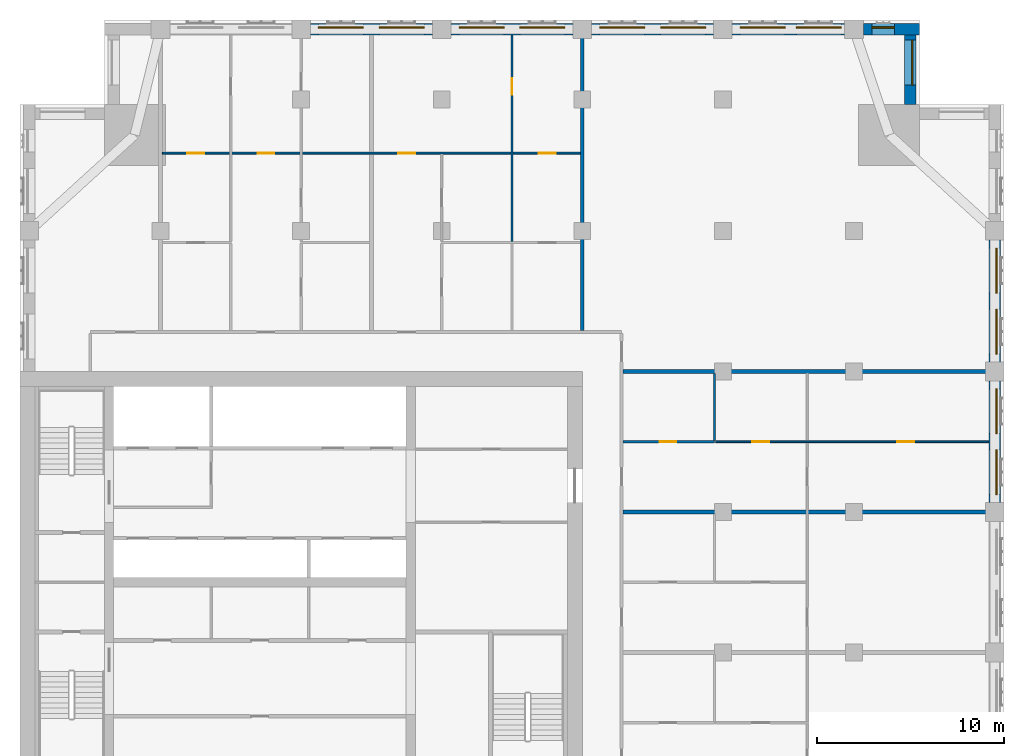
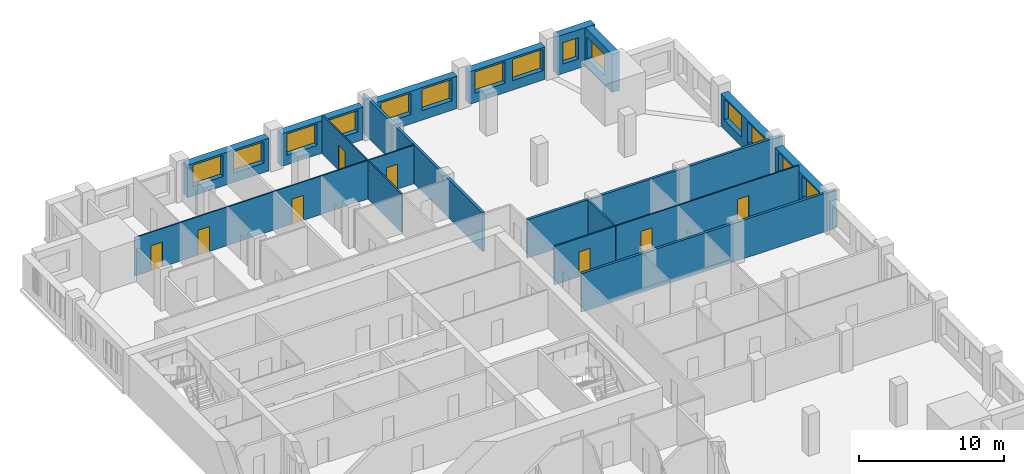
# One storey, part 11 of 14: 16 walls, 14 windows, 8 doors, 22 openings.
"""IFC4 building model written with IfcOpenShell, lengths in metres."""

from ifc_helpers import new_model, si_unit, direction, frame, frame_2d, origin, place, context, subcontext, project, spatial, rectangle, extrude, material, layer, layer_set, type_object, element, fill, save


model = new_model("IFC4")

# Units and contexts
model_context = context("Model", 3, precision=1e-05, world=origin(), true_north=direction((0.0, 1.0)))
body_context = subcontext(model_context, "Body", "Model", "MODEL_VIEW")
ifc_project = project(units=[si_unit("LENGTHUNIT", "METRE"), si_unit("AREAUNIT", "SQUARE_METRE"), si_unit("VOLUMEUNIT", "CUBIC_METRE"), si_unit("PLANEANGLEUNIT", "RADIAN"), si_unit("MASSUNIT", "GRAM", prefix="KILO")], contexts=[model_context])

# Site, building, storey
site_placement = place(None, origin())
site = spatial("IfcSite", under=ifc_project, at=site_placement, CompositionType="ELEMENT")
building_placement = place(site_placement, origin())
building = spatial("IfcBuilding", under=site, at=building_placement, Name="Tamorin Gate", CompositionType="ELEMENT")
storey_placement = place(building_placement, frame((0.0, 0.0, 182.699951171875)))
storey = spatial("IfcBuildingStorey", under=building, at=storey_placement, Name="L44", CompositionType="ELEMENT", Elevation=182.699951171875)

# Wall, openings, windows
ifc_material_1 = material(Name="Precast concrete C40/50", Category="concrete")
ifc_layer_1 = layer(ifc_material_1, 0.60009765625)
ifc_layer_set_1 = layer_set([ifc_layer_1], Name="Precast concrete C40/50")
wall_type_1 = type_object("IfcWallType", Name="Board-marked concrete facade panel 600", PredefinedType="SOLIDWALL", material=ifc_layer_set_1)
wall_1_placement = place(storey_placement, frame((82.0, 75.5, 0.0), z_axis=(0.0, 0.0, 1.0), x_axis=(0.0, 1.0, 0.0)))
wall_1 = element("IfcWall", 1, at=wall_1_placement, inside=storey, type_object=wall_type_1, Name="Facade panel", PredefinedType="SOLIDWALL", context=body_context, shape_type="SweptSolid", body=[
    extrude(rectangle(XDim=6.5, YDim=0.60009765625, at=frame_2d((3.25, 0.0))), origin(), (0.0, 0.0, 1.0), 2.75),
])
opening_1_placement = place(wall_1_placement, frame((0.425048828125, 0.0, 0.800048828125)))
opening_1 = element("IfcOpeningElement", 2, at=opening_1_placement, cuts=wall_1, Name="Opening WN1", PredefinedType="OPENING", context=body_context, shape_type="SweptSolid", body=[
    extrude(rectangle(XDim=2.39990234375, YDim=1.800048828125, at=frame_2d((1.199951171875, 0.89990234375))), frame((0.0, 0.31005859375, 0.0), z_axis=(0.0, -1.0, 0.0), x_axis=(1.0, 0.0, 0.0)), (0.0, 0.0, 1.0), 0.6201171875),
])
opening_2_placement = place(wall_1_placement, frame((3.675048828125, 0.0, 0.800048828125)))
opening_2 = element("IfcOpeningElement", 3, at=opening_2_placement, cuts=wall_1, Name="Opening WN1", PredefinedType="OPENING", context=body_context, shape_type="SweptSolid", body=[
    extrude(rectangle(XDim=2.39990234375, YDim=1.800048828125, at=frame_2d((1.199951171875, 0.89990234375))), frame((0.0, 0.31005859375, 0.0), z_axis=(0.0, -1.0, 0.0), x_axis=(1.0, 0.0, 0.0)), (0.0, 0.0, 1.0), 0.6201171875),
])
ifc_material_2 = material(Name="Clear glass in aluminium frame", Category="aluminium")
window_type_1 = type_object("IfcWindowType", Name="Deep-set window 2400x1800", PartitioningType="SINGLE_PANEL", PredefinedType="WINDOW", material=ifc_material_2)
window_1_placement = place(opening_1_placement, origin())
window_1 = element("IfcWindow", 4, at=window_1_placement, inside=storey, type_object=window_type_1, Name="Deep-set window", OverallHeight=1.800048828125, OverallWidth=2.39990234375, PartitioningType="SINGLE_PANEL", PredefinedType="WINDOW", context=body_context, shape_type="SweptSolid", body=[
    extrude(rectangle(XDim=2.39990234375, YDim=1.800048828125, at=frame_2d((1.199951171875, 0.89990234375))), frame((0.0, -0.070068359375, 0.0), z_axis=(0.0, -1.0, 0.0), x_axis=(1.0, 0.0, 0.0)), (0.0, 0.0, 1.0), 0.06005859375),
])
fill(opening_1, window_1)
window_2_placement = place(opening_2_placement, origin())
window_2 = element("IfcWindow", 5, at=window_2_placement, inside=storey, type_object=window_type_1, Name="Deep-set window", OverallHeight=1.800048828125, OverallWidth=2.39990234375, PartitioningType="SINGLE_PANEL", PredefinedType="WINDOW", context=body_context, shape_type="SweptSolid", body=[
    extrude(rectangle(XDim=2.39990234375, YDim=1.800048828125, at=frame_2d((1.199951171875, 0.89990234375))), frame((0.0, -0.070068359375, 0.0), z_axis=(0.0, -1.0, 0.0), x_axis=(1.0, 0.0, 0.0)), (0.0, 0.0, 1.0), 0.06005859375),
])
fill(opening_2, window_2)

wall_2_placement = place(storey_placement, frame((82.0, 83.0, 0.0), z_axis=(0.0, 0.0, 1.0), x_axis=(0.0, 1.0, 0.0)))
wall_2 = element("IfcWall", 6, at=wall_2_placement, inside=storey, type_object=wall_type_1, Name="Facade panel", PredefinedType="SOLIDWALL", context=body_context, shape_type="SweptSolid", body=[
    extrude(rectangle(XDim=6.5, YDim=0.60009765625, at=frame_2d((3.25, 0.0))), origin(), (0.0, 0.0, 1.0), 2.75),
])
opening_3_placement = place(wall_2_placement, frame((0.425048828125, 0.0, 0.800048828125)))
opening_3 = element("IfcOpeningElement", 7, at=opening_3_placement, cuts=wall_2, Name="Opening WN1", PredefinedType="OPENING", context=body_context, shape_type="SweptSolid", body=[
    extrude(rectangle(XDim=2.39990234375, YDim=1.800048828125, at=frame_2d((1.199951171875, 0.89990234375))), frame((0.0, 0.31005859375, 0.0), z_axis=(0.0, -1.0, 0.0), x_axis=(1.0, 0.0, 0.0)), (0.0, 0.0, 1.0), 0.6201171875),
])
opening_4_placement = place(wall_2_placement, frame((3.675048828125, 0.0, 0.800048828125)))
opening_4 = element("IfcOpeningElement", 8, at=opening_4_placement, cuts=wall_2, Name="Opening WN1", PredefinedType="OPENING", context=body_context, shape_type="SweptSolid", body=[
    extrude(rectangle(XDim=2.39990234375, YDim=1.800048828125, at=frame_2d((1.199951171875, 0.89990234375))), frame((0.0, 0.31005859375, 0.0), z_axis=(0.0, -1.0, 0.0), x_axis=(1.0, 0.0, 0.0)), (0.0, 0.0, 1.0), 0.6201171875),
])
window_3_placement = place(opening_3_placement, origin())
window_3 = element("IfcWindow", 9, at=window_3_placement, inside=storey, type_object=window_type_1, Name="Deep-set window", OverallHeight=1.800048828125, OverallWidth=2.39990234375, PartitioningType="SINGLE_PANEL", PredefinedType="WINDOW", context=body_context, shape_type="SweptSolid", body=[
    extrude(rectangle(XDim=2.39990234375, YDim=1.800048828125, at=frame_2d((1.199951171875, 0.89990234375))), frame((0.0, -0.070068359375, 0.0), z_axis=(0.0, -1.0, 0.0), x_axis=(1.0, 0.0, 0.0)), (0.0, 0.0, 1.0), 0.06005859375),
])
fill(opening_3, window_3)
window_4_placement = place(opening_4_placement, origin())
window_4 = element("IfcWindow", 10, at=window_4_placement, inside=storey, type_object=window_type_1, Name="Deep-set window", OverallHeight=1.800048828125, OverallWidth=2.39990234375, PartitioningType="SINGLE_PANEL", PredefinedType="WINDOW", context=body_context, shape_type="SweptSolid", body=[
    extrude(rectangle(XDim=2.39990234375, YDim=1.800048828125, at=frame_2d((1.199951171875, 0.89990234375))), frame((0.0, -0.070068359375, 0.0), z_axis=(0.0, -1.0, 0.0), x_axis=(1.0, 0.0, 0.0)), (0.0, 0.0, 1.0), 0.06005859375),
])
fill(opening_4, window_4)

# Wall, opening, window
wall_3_placement = place(storey_placement, frame((77.5, 96.75, 0.0), z_axis=(0.0, 0.0, 1.0), x_axis=(0.0, 1.0, 0.0)))
wall_3 = element("IfcWall", 11, at=wall_3_placement, inside=storey, type_object=wall_type_1, Name="Facade panel", PredefinedType="SOLIDWALL", context=body_context, shape_type="SweptSolid", body=[
    extrude(rectangle(XDim=3.699951171875, YDim=0.60009765625, at=frame_2d((1.85009765625, 0.0))), origin(), (0.0, 0.0, 1.0), 3.25),
])
opening_5_placement = place(wall_3_placement, frame((1.02490234375, 0.0, 0.800048828125)))
opening_5 = element("IfcOpeningElement", 12, at=opening_5_placement, cuts=wall_3, Name="Opening WN1", PredefinedType="OPENING", context=body_context, shape_type="SweptSolid", body=[
    extrude(rectangle(XDim=2.39990234375, YDim=1.800048828125, at=frame_2d((1.199951171875, 0.89990234375))), frame((0.0, 0.31005859375, 0.0), z_axis=(0.0, -1.0, 0.0), x_axis=(1.0, 0.0, 0.0)), (0.0, 0.0, 1.0), 0.6201171875),
])
window_5_placement = place(opening_5_placement, origin())
window_5 = element("IfcWindow", 13, at=window_5_placement, inside=storey, type_object=window_type_1, Name="Deep-set window", OverallHeight=1.800048828125, OverallWidth=2.39990234375, PartitioningType="SINGLE_PANEL", PredefinedType="WINDOW", context=body_context, shape_type="SweptSolid", body=[
    extrude(rectangle(XDim=2.39990234375, YDim=1.800048828125, at=frame_2d((1.199951171875, 0.89990234375))), frame((0.0, -0.070068359375, 0.0), z_axis=(0.0, -1.0, 0.0), x_axis=(1.0, 0.0, 0.0)), (0.0, 0.0, 1.0), 0.06005859375),
])
fill(opening_5, window_5)

wall_4_placement = place(storey_placement, frame((78.0, 100.75, 0.0), z_axis=(0.0, 0.0, 1.0), x_axis=(-1.0, 0.0, 0.0)))
wall_4 = element("IfcWall", 14, at=wall_4_placement, inside=storey, type_object=wall_type_1, Name="Facade panel", PredefinedType="SOLIDWALL", context=body_context, shape_type="SweptSolid", body=[
    extrude(rectangle(XDim=3.0, YDim=0.60009765625, at=frame_2d((1.5, 0.0))), origin(), (0.0, 0.0, 1.0), 3.25),
])
opening_6_placement = place(wall_4_placement, frame((1.35009765625, 0.0, 0.800048828125)))
opening_6 = element("IfcOpeningElement", 15, at=opening_6_placement, cuts=wall_4, Name="Opening WN3", PredefinedType="OPENING", context=body_context, shape_type="SweptSolid", body=[
    extrude(rectangle(XDim=1.199951171875, YDim=1.800048828125, at=frame_2d((0.60009765625, 0.89990234375))), frame((0.0, 0.31005859375, 0.0), z_axis=(0.0, -1.0, 0.0), x_axis=(1.0, 0.0, 0.0)), (0.0, 0.0, 1.0), 0.6201171875),
])
window_type_2 = type_object("IfcWindowType", Name="Deep-set window 1200x1800", PartitioningType="SINGLE_PANEL", PredefinedType="WINDOW", material=ifc_material_2)
window_6_placement = place(opening_6_placement, origin())
window_6 = element("IfcWindow", 16, at=window_6_placement, inside=storey, type_object=window_type_2, Name="Deep-set window", OverallHeight=1.800048828125, OverallWidth=1.199951171875, PartitioningType="SINGLE_PANEL", PredefinedType="WINDOW", context=body_context, shape_type="SweptSolid", body=[
    extrude(rectangle(XDim=1.199951171875, YDim=1.800048828125, at=frame_2d((0.60009765625, 0.89990234375))), frame((0.0, -0.070068359375, 0.0), z_axis=(0.0, -1.0, 0.0), x_axis=(1.0, 0.0, 0.0)), (0.0, 0.0, 1.0), 0.06005859375),
])
fill(opening_6, window_6)

# Wall, openings, windows
wall_5_placement = place(storey_placement, frame((74.0, 100.75, 0.0), z_axis=(0.0, 0.0, 1.0), x_axis=(-1.0, 0.0, 0.0)))
wall_5 = element("IfcWall", 17, at=wall_5_placement, inside=storey, type_object=wall_type_1, Name="Facade panel", PredefinedType="SOLIDWALL", context=body_context, shape_type="SweptSolid", body=[
    extrude(rectangle(XDim=6.0, YDim=0.60009765625, at=frame_2d((3.0, 0.0))), origin(), (0.0, 0.0, 1.0), 2.75),
])
opening_7_placement = place(wall_5_placement, frame((3.175048828125, 0.0, 0.800048828125)))
opening_7 = element("IfcOpeningElement", 18, at=opening_7_placement, cuts=wall_5, Name="Opening WN1", PredefinedType="OPENING", context=body_context, shape_type="SweptSolid", body=[
    extrude(rectangle(XDim=2.39990234375, YDim=1.800048828125, at=frame_2d((1.199951171875, 0.89990234375))), frame((0.0, 0.31005859375, 0.0), z_axis=(0.0, -1.0, 0.0), x_axis=(1.0, 0.0, 0.0)), (0.0, 0.0, 1.0), 0.6201171875),
])
opening_8_placement = place(wall_5_placement, frame((0.175048828125, 0.0, 0.800048828125)))
opening_8 = element("IfcOpeningElement", 19, at=opening_8_placement, cuts=wall_5, Name="Opening WN1", PredefinedType="OPENING", context=body_context, shape_type="SweptSolid", body=[
    extrude(rectangle(XDim=2.39990234375, YDim=1.800048828125, at=frame_2d((1.199951171875, 0.89990234375))), frame((0.0, 0.31005859375, 0.0), z_axis=(0.0, -1.0, 0.0), x_axis=(1.0, 0.0, 0.0)), (0.0, 0.0, 1.0), 0.6201171875),
])
window_7_placement = place(opening_7_placement, origin())
window_7 = element("IfcWindow", 20, at=window_7_placement, inside=storey, type_object=window_type_1, Name="Deep-set window", OverallHeight=1.800048828125, OverallWidth=2.39990234375, PartitioningType="SINGLE_PANEL", PredefinedType="WINDOW", context=body_context, shape_type="SweptSolid", body=[
    extrude(rectangle(XDim=2.39990234375, YDim=1.800048828125, at=frame_2d((1.199951171875, 0.89990234375))), frame((0.0, -0.070068359375, 0.0), z_axis=(0.0, -1.0, 0.0), x_axis=(1.0, 0.0, 0.0)), (0.0, 0.0, 1.0), 0.06005859375),
])
fill(opening_7, window_7)
window_8_placement = place(opening_8_placement, origin())
window_8 = element("IfcWindow", 21, at=window_8_placement, inside=storey, type_object=window_type_1, Name="Deep-set window", OverallHeight=1.800048828125, OverallWidth=2.39990234375, PartitioningType="SINGLE_PANEL", PredefinedType="WINDOW", context=body_context, shape_type="SweptSolid", body=[
    extrude(rectangle(XDim=2.39990234375, YDim=1.800048828125, at=frame_2d((1.199951171875, 0.89990234375))), frame((0.0, -0.070068359375, 0.0), z_axis=(0.0, -1.0, 0.0), x_axis=(1.0, 0.0, 0.0)), (0.0, 0.0, 1.0), 0.06005859375),
])
fill(opening_8, window_8)

wall_6_placement = place(storey_placement, frame((67.0, 100.75, 0.0), z_axis=(0.0, 0.0, 1.0), x_axis=(-1.0, 0.0, 0.0)))
wall_6 = element("IfcWall", 22, at=wall_6_placement, inside=storey, type_object=wall_type_1, Name="Facade panel", PredefinedType="SOLIDWALL", context=body_context, shape_type="SweptSolid", body=[
    extrude(rectangle(XDim=6.5, YDim=0.60009765625, at=frame_2d((3.25, 0.0))), origin(), (0.0, 0.0, 1.0), 2.75),
])
opening_9_placement = place(wall_6_placement, frame((3.675048828125, 0.0, 0.800048828125)))
opening_9 = element("IfcOpeningElement", 23, at=opening_9_placement, cuts=wall_6, Name="Opening WN1", PredefinedType="OPENING", context=body_context, shape_type="SweptSolid", body=[
    extrude(rectangle(XDim=2.39990234375, YDim=1.800048828125, at=frame_2d((1.199951171875, 0.89990234375))), frame((0.0, 0.31005859375, 0.0), z_axis=(0.0, -1.0, 0.0), x_axis=(1.0, 0.0, 0.0)), (0.0, 0.0, 1.0), 0.6201171875),
])
opening_10_placement = place(wall_6_placement, frame((0.425048828125, 0.0, 0.800048828125)))
opening_10 = element("IfcOpeningElement", 24, at=opening_10_placement, cuts=wall_6, Name="Opening WN1", PredefinedType="OPENING", context=body_context, shape_type="SweptSolid", body=[
    extrude(rectangle(XDim=2.39990234375, YDim=1.800048828125, at=frame_2d((1.199951171875, 0.89990234375))), frame((0.0, 0.31005859375, 0.0), z_axis=(0.0, -1.0, 0.0), x_axis=(1.0, 0.0, 0.0)), (0.0, 0.0, 1.0), 0.6201171875),
])
window_9_placement = place(opening_9_placement, origin())
window_9 = element("IfcWindow", 25, at=window_9_placement, inside=storey, type_object=window_type_1, Name="Deep-set window", OverallHeight=1.800048828125, OverallWidth=2.39990234375, PartitioningType="SINGLE_PANEL", PredefinedType="WINDOW", context=body_context, shape_type="SweptSolid", body=[
    extrude(rectangle(XDim=2.39990234375, YDim=1.800048828125, at=frame_2d((1.199951171875, 0.89990234375))), frame((0.0, -0.070068359375, 0.0), z_axis=(0.0, -1.0, 0.0), x_axis=(1.0, 0.0, 0.0)), (0.0, 0.0, 1.0), 0.06005859375),
])
fill(opening_9, window_9)
window_10_placement = place(opening_10_placement, origin())
window_10 = element("IfcWindow", 26, at=window_10_placement, inside=storey, type_object=window_type_1, Name="Deep-set window", OverallHeight=1.800048828125, OverallWidth=2.39990234375, PartitioningType="SINGLE_PANEL", PredefinedType="WINDOW", context=body_context, shape_type="SweptSolid", body=[
    extrude(rectangle(XDim=2.39990234375, YDim=1.800048828125, at=frame_2d((1.199951171875, 0.89990234375))), frame((0.0, -0.070068359375, 0.0), z_axis=(0.0, -1.0, 0.0), x_axis=(1.0, 0.0, 0.0)), (0.0, 0.0, 1.0), 0.06005859375),
])
fill(opening_10, window_10)

wall_7_placement = place(storey_placement, frame((59.5, 100.75, 0.0), z_axis=(0.0, 0.0, 1.0), x_axis=(-1.0, 0.0, 0.0)))
wall_7 = element("IfcWall", 27, at=wall_7_placement, inside=storey, type_object=wall_type_1, Name="Facade panel", PredefinedType="SOLIDWALL", context=body_context, shape_type="SweptSolid", body=[
    extrude(rectangle(XDim=6.5, YDim=0.60009765625, at=frame_2d((3.25, 0.0))), origin(), (0.0, 0.0, 1.0), 2.75),
])
opening_11_placement = place(wall_7_placement, frame((3.675048828125, 0.0, 0.800048828125)))
opening_11 = element("IfcOpeningElement", 28, at=opening_11_placement, cuts=wall_7, Name="Opening WN1", PredefinedType="OPENING", context=body_context, shape_type="SweptSolid", body=[
    extrude(rectangle(XDim=2.39990234375, YDim=1.800048828125, at=frame_2d((1.199951171875, 0.89990234375))), frame((0.0, 0.31005859375, 0.0), z_axis=(0.0, -1.0, 0.0), x_axis=(1.0, 0.0, 0.0)), (0.0, 0.0, 1.0), 0.6201171875),
])
opening_12_placement = place(wall_7_placement, frame((0.425048828125, 0.0, 0.800048828125)))
opening_12 = element("IfcOpeningElement", 29, at=opening_12_placement, cuts=wall_7, Name="Opening WN1", PredefinedType="OPENING", context=body_context, shape_type="SweptSolid", body=[
    extrude(rectangle(XDim=2.39990234375, YDim=1.800048828125, at=frame_2d((1.199951171875, 0.89990234375))), frame((0.0, 0.31005859375, 0.0), z_axis=(0.0, -1.0, 0.0), x_axis=(1.0, 0.0, 0.0)), (0.0, 0.0, 1.0), 0.6201171875),
])
window_11_placement = place(opening_11_placement, origin())
window_11 = element("IfcWindow", 30, at=window_11_placement, inside=storey, type_object=window_type_1, Name="Deep-set window", OverallHeight=1.800048828125, OverallWidth=2.39990234375, PartitioningType="SINGLE_PANEL", PredefinedType="WINDOW", context=body_context, shape_type="SweptSolid", body=[
    extrude(rectangle(XDim=2.39990234375, YDim=1.800048828125, at=frame_2d((1.199951171875, 0.89990234375))), frame((0.0, -0.070068359375, 0.0), z_axis=(0.0, -1.0, 0.0), x_axis=(1.0, 0.0, 0.0)), (0.0, 0.0, 1.0), 0.06005859375),
])
fill(opening_11, window_11)
window_12_placement = place(opening_12_placement, origin())
window_12 = element("IfcWindow", 31, at=window_12_placement, inside=storey, type_object=window_type_1, Name="Deep-set window", OverallHeight=1.800048828125, OverallWidth=2.39990234375, PartitioningType="SINGLE_PANEL", PredefinedType="WINDOW", context=body_context, shape_type="SweptSolid", body=[
    extrude(rectangle(XDim=2.39990234375, YDim=1.800048828125, at=frame_2d((1.199951171875, 0.89990234375))), frame((0.0, -0.070068359375, 0.0), z_axis=(0.0, -1.0, 0.0), x_axis=(1.0, 0.0, 0.0)), (0.0, 0.0, 1.0), 0.06005859375),
])
fill(opening_12, window_12)

wall_8_placement = place(storey_placement, frame((52.0, 100.75, 0.0), z_axis=(0.0, 0.0, 1.0), x_axis=(-1.0, 0.0, 0.0)))
wall_8 = element("IfcWall", 32, at=wall_8_placement, inside=storey, type_object=wall_type_1, Name="Facade panel", PredefinedType="SOLIDWALL", context=body_context, shape_type="SweptSolid", body=[
    extrude(rectangle(XDim=6.5, YDim=0.60009765625, at=frame_2d((3.25, 0.0))), origin(), (0.0, 0.0, 1.0), 2.75),
])
opening_13_placement = place(wall_8_placement, frame((3.675048828125, 0.0, 0.800048828125)))
opening_13 = element("IfcOpeningElement", 33, at=opening_13_placement, cuts=wall_8, Name="Opening WN1", PredefinedType="OPENING", context=body_context, shape_type="SweptSolid", body=[
    extrude(rectangle(XDim=2.39990234375, YDim=1.800048828125, at=frame_2d((1.199951171875, 0.89990234375))), frame((0.0, 0.31005859375, 0.0), z_axis=(0.0, -1.0, 0.0), x_axis=(1.0, 0.0, 0.0)), (0.0, 0.0, 1.0), 0.6201171875),
])
opening_14_placement = place(wall_8_placement, frame((0.425048828125, 0.0, 0.800048828125)))
opening_14 = element("IfcOpeningElement", 34, at=opening_14_placement, cuts=wall_8, Name="Opening WN1", PredefinedType="OPENING", context=body_context, shape_type="SweptSolid", body=[
    extrude(rectangle(XDim=2.39990234375, YDim=1.800048828125, at=frame_2d((1.199951171875, 0.89990234375))), frame((0.0, 0.31005859375, 0.0), z_axis=(0.0, -1.0, 0.0), x_axis=(1.0, 0.0, 0.0)), (0.0, 0.0, 1.0), 0.6201171875),
])
window_13_placement = place(opening_13_placement, origin())
window_13 = element("IfcWindow", 35, at=window_13_placement, inside=storey, type_object=window_type_1, Name="Deep-set window", OverallHeight=1.800048828125, OverallWidth=2.39990234375, PartitioningType="SINGLE_PANEL", PredefinedType="WINDOW", context=body_context, shape_type="SweptSolid", body=[
    extrude(rectangle(XDim=2.39990234375, YDim=1.800048828125, at=frame_2d((1.199951171875, 0.89990234375))), frame((0.0, -0.070068359375, 0.0), z_axis=(0.0, -1.0, 0.0), x_axis=(1.0, 0.0, 0.0)), (0.0, 0.0, 1.0), 0.06005859375),
])
fill(opening_13, window_13)
window_14_placement = place(opening_14_placement, origin())
window_14 = element("IfcWindow", 36, at=window_14_placement, inside=storey, type_object=window_type_1, Name="Deep-set window", OverallHeight=1.800048828125, OverallWidth=2.39990234375, PartitioningType="SINGLE_PANEL", PredefinedType="WINDOW", context=body_context, shape_type="SweptSolid", body=[
    extrude(rectangle(XDim=2.39990234375, YDim=1.800048828125, at=frame_2d((1.199951171875, 0.89990234375))), frame((0.0, -0.070068359375, 0.0), z_axis=(0.0, -1.0, 0.0), x_axis=(1.0, 0.0, 0.0)), (0.0, 0.0, 1.0), 0.06005859375),
])
fill(opening_14, window_14)

# Walls
ifc_material_3 = material(Name="Gypsum board partition")
ifc_layer_2 = layer(ifc_material_3, 0.199951171875)
ifc_layer_set_2 = layer_set([ifc_layer_2], Name="Demising wall 200")
wall_type_2 = type_object("IfcWallType", Name="Demising wall 200", PredefinedType="PARTITIONING", material=ifc_layer_set_2)
for number, where, z_axis, x_axis, name in (
    (37, (62.175048828125, 75.0, 0.0), (0.0, 0.0, 1.0), (1.0, 0.0, 0.0), "Demising wall 200"),
    (38, (62.175048828125, 82.5, 0.0), (0.0, 0.0, 1.0), (1.0, 0.0, 0.0), "Demising wall 200"),
):
    element("IfcWall", number, at=place(storey_placement, frame(where, z_axis=z_axis, x_axis=x_axis)), inside=storey, type_object=wall_type_2, Name=name, PredefinedType="PARTITIONING", context=body_context, shape_type="SweptSolid", body=[
        extrude(rectangle(XDim=20.324951171875, YDim=0.199951171875, at=frame_2d((10.16259765625, 0.0))), origin(), (0.0, 0.0, 1.0), 3.25),
    ])
wall_9_placement = place(storey_placement, frame((60.0, 84.675048828125, 0.0), z_axis=(0.0, 0.0, 1.0), x_axis=(0.0, 1.0, 0.0)))
element("IfcWall", 39, at=wall_9_placement, inside=storey, type_object=wall_type_2, Name="Demising wall 200", PredefinedType="PARTITIONING", context=body_context, shape_type="SweptSolid", body=[
    extrude(rectangle(XDim=16.574951171875, YDim=0.199951171875, at=frame_2d((8.28759765625, 0.0))), origin(), (0.0, 0.0, 1.0), 3.25),
])

# Wall, openings, doors
ifc_layer_3 = layer(ifc_material_3, 0.10009765625)
ifc_layer_set_3 = layer_set([ifc_layer_3], Name="Room partition 100")
wall_type_3 = type_object("IfcWallType", Name="Room partition 100", PredefinedType="PARTITIONING", material=ifc_layer_set_3)
wall_10_placement = place(storey_placement, frame((67.112548828125, 78.75, 0.0), z_axis=(0.0, 0.0, 1.0), x_axis=(1.0, 0.0, 0.0)))
wall_10 = element("IfcWall", 40, at=wall_10_placement, inside=storey, type_object=wall_type_3, Name="Room partition 100", PredefinedType="PARTITIONING", context=body_context, shape_type="SweptSolid", body=[
    extrude(rectangle(XDim=14.577392578125, YDim=0.10009765625, at=frame_2d((7.28857421875, 0.0))), origin(), (0.0, 0.0, 1.0), 3.25),
])
opening_15_placement = place(wall_10_placement, frame((1.96240234375, 0.0, 0.0)))
opening_15 = element("IfcOpeningElement", 41, at=opening_15_placement, cuts=wall_10, Name="Opening DR2047", PredefinedType="OPENING", context=body_context, shape_type="SweptSolid", body=[
    extrude(rectangle(XDim=0.89990234375, YDim=2.10009765625, at=frame_2d((0.449951171875, 1.050048828125))), frame((0.0, 0.06005859375, 0.0), z_axis=(0.0, -1.0, 0.0), x_axis=(1.0, 0.0, 0.0)), (0.0, 0.0, 1.0), 0.1201171875),
])
opening_16_placement = place(wall_10_placement, frame((9.6875, 0.0, 0.0)))
opening_16 = element("IfcOpeningElement", 42, at=opening_16_placement, cuts=wall_10, Name="Opening DR2049", PredefinedType="OPENING", context=body_context, shape_type="SweptSolid", body=[
    extrude(rectangle(XDim=0.89990234375, YDim=2.10009765625, at=frame_2d((0.449951171875, 1.050048828125))), frame((0.0, 0.06005859375, 0.0), z_axis=(0.0, -1.0, 0.0), x_axis=(1.0, 0.0, 0.0)), (0.0, 0.0, 1.0), 0.1201171875),
])
ifc_material_4 = material(Name="Timber door leaf", Category="wood")
door_type = type_object("IfcDoorType", Name="Door 900 x 2100", OperationType="NOTDEFINED", PredefinedType="DOOR", material=ifc_material_4)
door_1_placement = place(opening_15_placement, origin())
door_1 = element("IfcDoor", 43, at=door_1_placement, inside=storey, type_object=door_type, Name="Door DR2047", OperationType="SINGLE_SWING_LEFT", OverallHeight=2.10009765625, OverallWidth=0.89990234375, PredefinedType="DOOR", context=body_context, shape_type="SweptSolid", body=[
    extrude(rectangle(XDim=0.89990234375, YDim=2.10009765625, at=frame_2d((0.449951171875, 1.050048828125))), frame((0.0, 0.02490234375, 0.0), z_axis=(0.0, -1.0, 0.0), x_axis=(1.0, 0.0, 0.0)), (0.0, 0.0, 1.0), 0.050048828125),
])
fill(opening_15, door_1)
door_2_placement = place(opening_16_placement, origin())
door_2 = element("IfcDoor", 44, at=door_2_placement, inside=storey, type_object=door_type, Name="Door DR2049", OperationType="SINGLE_SWING_RIGHT", OverallHeight=2.10009765625, OverallWidth=0.89990234375, PredefinedType="DOOR", context=body_context, shape_type="SweptSolid", body=[
    extrude(rectangle(XDim=0.89990234375, YDim=2.10009765625, at=frame_2d((0.449951171875, 1.050048828125))), frame((0.0, 0.02490234375, 0.0), z_axis=(0.0, -1.0, 0.0), x_axis=(1.0, 0.0, 0.0)), (0.0, 0.0, 1.0), 0.050048828125),
])
fill(opening_16, door_2)

wall_11_placement = place(storey_placement, frame((37.60009765625, 94.14990234375, 0.0), z_axis=(0.0, 0.0, 1.0), x_axis=(1.0, 0.0, 0.0)))
wall_11 = element("IfcWall", 45, at=wall_11_placement, inside=storey, type_object=wall_type_3, Name="Room partition 100", PredefinedType="PARTITIONING", context=body_context, shape_type="SweptSolid", body=[
    extrude(rectangle(XDim=22.2998046875, YDim=0.10009765625, at=frame_2d((11.14990234375, 0.0))), origin(), (0.0, 0.0, 1.0), 3.25),
])
opening_17_placement = place(wall_11_placement, frame((1.324951171875, 0.0, 0.0)))
opening_17 = element("IfcOpeningElement", 46, at=opening_17_placement, cuts=wall_11, Name="Opening DR2020", PredefinedType="OPENING", context=body_context, shape_type="SweptSolid", body=[
    extrude(rectangle(XDim=0.89990234375, YDim=2.10009765625, at=frame_2d((0.449951171875, 1.050048828125))), frame((0.0, 0.06005859375, 0.0), z_axis=(0.0, -1.0, 0.0), x_axis=(1.0, 0.0, 0.0)), (0.0, 0.0, 1.0), 0.1201171875),
])
opening_18_placement = place(wall_11_placement, frame((5.074951171875, 0.0, 0.0)))
opening_18 = element("IfcOpeningElement", 47, at=opening_18_placement, cuts=wall_11, Name="Opening DR2023", PredefinedType="OPENING", context=body_context, shape_type="SweptSolid", body=[
    extrude(rectangle(XDim=0.89990234375, YDim=2.10009765625, at=frame_2d((0.449951171875, 1.050048828125))), frame((0.0, 0.06005859375, 0.0), z_axis=(0.0, -1.0, 0.0), x_axis=(1.0, 0.0, 0.0)), (0.0, 0.0, 1.0), 0.1201171875),
])
opening_19_placement = place(wall_11_placement, frame((12.574951171875, 0.0, 0.0)))
opening_19 = element("IfcOpeningElement", 48, at=opening_19_placement, cuts=wall_11, Name="Opening DR2029", PredefinedType="OPENING", context=body_context, shape_type="SweptSolid", body=[
    extrude(rectangle(XDim=0.89990234375, YDim=2.10009765625, at=frame_2d((0.449951171875, 1.050048828125))), frame((0.0, 0.06005859375, 0.0), z_axis=(0.0, -1.0, 0.0), x_axis=(1.0, 0.0, 0.0)), (0.0, 0.0, 1.0), 0.1201171875),
])
opening_20_placement = place(wall_11_placement, frame((20.074951171875, 0.0, 0.0)))
opening_20 = element("IfcOpeningElement", 49, at=opening_20_placement, cuts=wall_11, Name="Opening DR2032", PredefinedType="OPENING", context=body_context, shape_type="SweptSolid", body=[
    extrude(rectangle(XDim=0.89990234375, YDim=2.10009765625, at=frame_2d((0.449951171875, 1.050048828125))), frame((0.0, 0.06005859375, 0.0), z_axis=(0.0, -1.0, 0.0), x_axis=(1.0, 0.0, 0.0)), (0.0, 0.0, 1.0), 0.1201171875),
])
door_3_placement = place(opening_17_placement, origin())
door_3 = element("IfcDoor", 50, at=door_3_placement, inside=storey, type_object=door_type, Name="Door DR2020", OperationType="SINGLE_SWING_RIGHT", OverallHeight=2.10009765625, OverallWidth=0.89990234375, PredefinedType="DOOR", context=body_context, shape_type="SweptSolid", body=[
    extrude(rectangle(XDim=0.89990234375, YDim=2.10009765625, at=frame_2d((0.449951171875, 1.050048828125))), frame((0.0, 0.02490234375, 0.0), z_axis=(0.0, -1.0, 0.0), x_axis=(1.0, 0.0, 0.0)), (0.0, 0.0, 1.0), 0.050048828125),
])
fill(opening_17, door_3)
door_4_placement = place(opening_18_placement, origin())
door_4 = element("IfcDoor", 51, at=door_4_placement, inside=storey, type_object=door_type, Name="Door DR2023", OperationType="SINGLE_SWING_RIGHT", OverallHeight=2.10009765625, OverallWidth=0.89990234375, PredefinedType="DOOR", context=body_context, shape_type="SweptSolid", body=[
    extrude(rectangle(XDim=0.89990234375, YDim=2.10009765625, at=frame_2d((0.449951171875, 1.050048828125))), frame((0.0, 0.02490234375, 0.0), z_axis=(0.0, -1.0, 0.0), x_axis=(1.0, 0.0, 0.0)), (0.0, 0.0, 1.0), 0.050048828125),
])
fill(opening_18, door_4)
door_5_placement = place(opening_19_placement, origin())
door_5 = element("IfcDoor", 52, at=door_5_placement, inside=storey, type_object=door_type, Name="Door DR2029", OperationType="SINGLE_SWING_RIGHT", OverallHeight=2.10009765625, OverallWidth=0.89990234375, PredefinedType="DOOR", context=body_context, shape_type="SweptSolid", body=[
    extrude(rectangle(XDim=0.89990234375, YDim=2.10009765625, at=frame_2d((0.449951171875, 1.050048828125))), frame((0.0, 0.02490234375, 0.0), z_axis=(0.0, -1.0, 0.0), x_axis=(1.0, 0.0, 0.0)), (0.0, 0.0, 1.0), 0.050048828125),
])
fill(opening_19, door_5)
door_6_placement = place(opening_20_placement, origin())
door_6 = element("IfcDoor", 53, at=door_6_placement, inside=storey, type_object=door_type, Name="Door DR2032", OperationType="SINGLE_SWING_RIGHT", OverallHeight=2.10009765625, OverallWidth=0.89990234375, PredefinedType="DOOR", context=body_context, shape_type="SweptSolid", body=[
    extrude(rectangle(XDim=0.89990234375, YDim=2.10009765625, at=frame_2d((0.449951171875, 1.050048828125))), frame((0.0, 0.02490234375, 0.0), z_axis=(0.0, -1.0, 0.0), x_axis=(1.0, 0.0, 0.0)), (0.0, 0.0, 1.0), 0.050048828125),
])
fill(opening_20, door_6)

# Wall, opening, door
wall_12_placement = place(storey_placement, frame((56.25, 89.4375, 0.0), z_axis=(0.0, 0.0, 1.0), x_axis=(0.0, 1.0, 0.0)))
wall_12 = element("IfcWall", 54, at=wall_12_placement, inside=storey, type_object=wall_type_3, Name="Room partition 100", PredefinedType="PARTITIONING", context=body_context, shape_type="SweptSolid", body=[
    extrude(rectangle(XDim=11.00244140625, YDim=0.10009765625, at=frame_2d((5.501220703125, 0.0))), origin(), (0.0, 0.0, 1.0), 3.25),
])
opening_21_placement = place(wall_12_placement, frame((7.8125, 0.0, 0.0)))
opening_21 = element("IfcOpeningElement", 55, at=opening_21_placement, cuts=wall_12, Name="Opening DR2034", PredefinedType="OPENING", context=body_context, shape_type="SweptSolid", body=[
    extrude(rectangle(XDim=0.89990234375, YDim=2.10009765625, at=frame_2d((0.449951171875, 1.050048828125))), frame((0.0, 0.06005859375, 0.0), z_axis=(0.0, -1.0, 0.0), x_axis=(1.0, 0.0, 0.0)), (0.0, 0.0, 1.0), 0.1201171875),
])
door_7_placement = place(opening_21_placement, origin())
door_7 = element("IfcDoor", 56, at=door_7_placement, inside=storey, type_object=door_type, Name="Door DR2034", OperationType="SINGLE_SWING_RIGHT", OverallHeight=2.10009765625, OverallWidth=0.89990234375, PredefinedType="DOOR", context=body_context, shape_type="SweptSolid", body=[
    extrude(rectangle(XDim=0.89990234375, YDim=2.10009765625, at=frame_2d((0.449951171875, 1.050048828125))), frame((0.0, 0.02490234375, 0.0), z_axis=(0.0, -1.0, 0.0), x_axis=(1.0, 0.0, 0.0)), (0.0, 0.0, 1.0), 0.050048828125),
])
fill(opening_21, door_7)

ifc_layer_4 = layer(ifc_material_3, 0.125)
ifc_layer_set_4 = layer_set([ifc_layer_4], Name="Wet wall 125")
wall_type_4 = type_object("IfcWallType", Name="Wet wall 125", PredefinedType="PARTITIONING", material=ifc_layer_set_4)
wall_13_placement = place(storey_placement, frame((62.175048828125, 78.75, 0.0), z_axis=(0.0, 0.0, 1.0), x_axis=(1.0, 0.0, 0.0)))
wall_13 = element("IfcWall", 57, at=wall_13_placement, inside=storey, type_object=wall_type_4, Name="Wet wall 125", PredefinedType="PARTITIONING", context=body_context, shape_type="SweptSolid", body=[
    extrude(rectangle(XDim=4.875, YDim=0.125, at=frame_2d((2.4375, 0.0))), origin(), (0.0, 0.0, 1.0), 3.25),
])
opening_22_placement = place(wall_13_placement, frame((1.949951171875, 0.0, 0.0)))
opening_22 = element("IfcOpeningElement", 58, at=opening_22_placement, cuts=wall_13, Name="Opening DR2048", PredefinedType="OPENING", context=body_context, shape_type="SweptSolid", body=[
    extrude(rectangle(XDim=0.89990234375, YDim=2.10009765625, at=frame_2d((0.449951171875, 1.050048828125))), frame((0.0, 0.072509765625, 0.0), z_axis=(0.0, -1.0, 0.0), x_axis=(1.0, 0.0, 0.0)), (0.0, 0.0, 1.0), 0.14501953125),
])
door_8_placement = place(opening_22_placement, origin())
door_8 = element("IfcDoor", 59, at=door_8_placement, inside=storey, type_object=door_type, Name="Door DR2048", OperationType="SINGLE_SWING_RIGHT", OverallHeight=2.10009765625, OverallWidth=0.89990234375, PredefinedType="DOOR", context=body_context, shape_type="SweptSolid", body=[
    extrude(rectangle(XDim=0.89990234375, YDim=2.10009765625, at=frame_2d((0.449951171875, 1.050048828125))), frame((0.0, 0.02490234375, 0.0), z_axis=(0.0, -1.0, 0.0), x_axis=(1.0, 0.0, 0.0)), (0.0, 0.0, 1.0), 0.050048828125),
])
fill(opening_22, door_8)

# Wall
wall_14_placement = place(storey_placement, frame((67.050048828125, 78.8125, 0.0), z_axis=(0.0, 0.0, 1.0), x_axis=(0.0, 1.0, 0.0)))
element("IfcWall", 60, at=wall_14_placement, inside=storey, type_object=wall_type_4, Name="Wet wall 125", PredefinedType="PARTITIONING", context=body_context, shape_type="SweptSolid", body=[
    extrude(rectangle(XDim=3.58740234375, YDim=0.125, at=frame_2d((1.793701171875, 0.0))), origin(), (0.0, 0.0, 1.0), 3.25),
])

save(model, "model.ifc")
